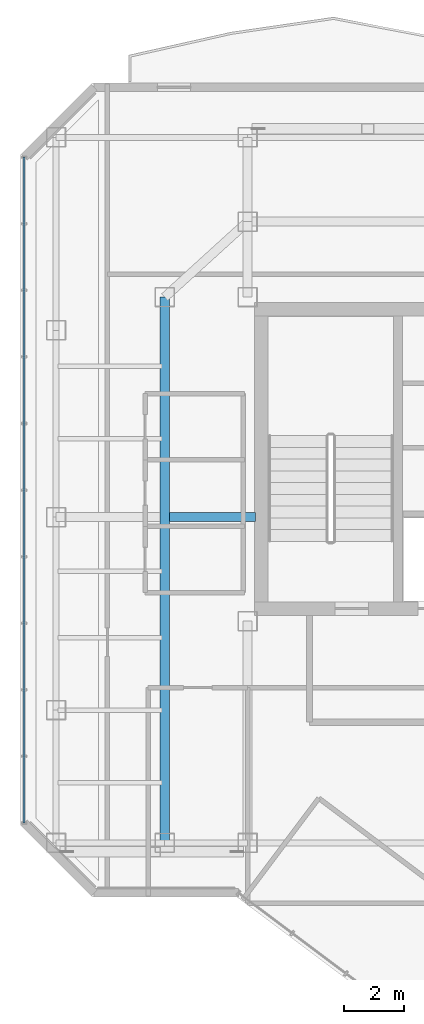
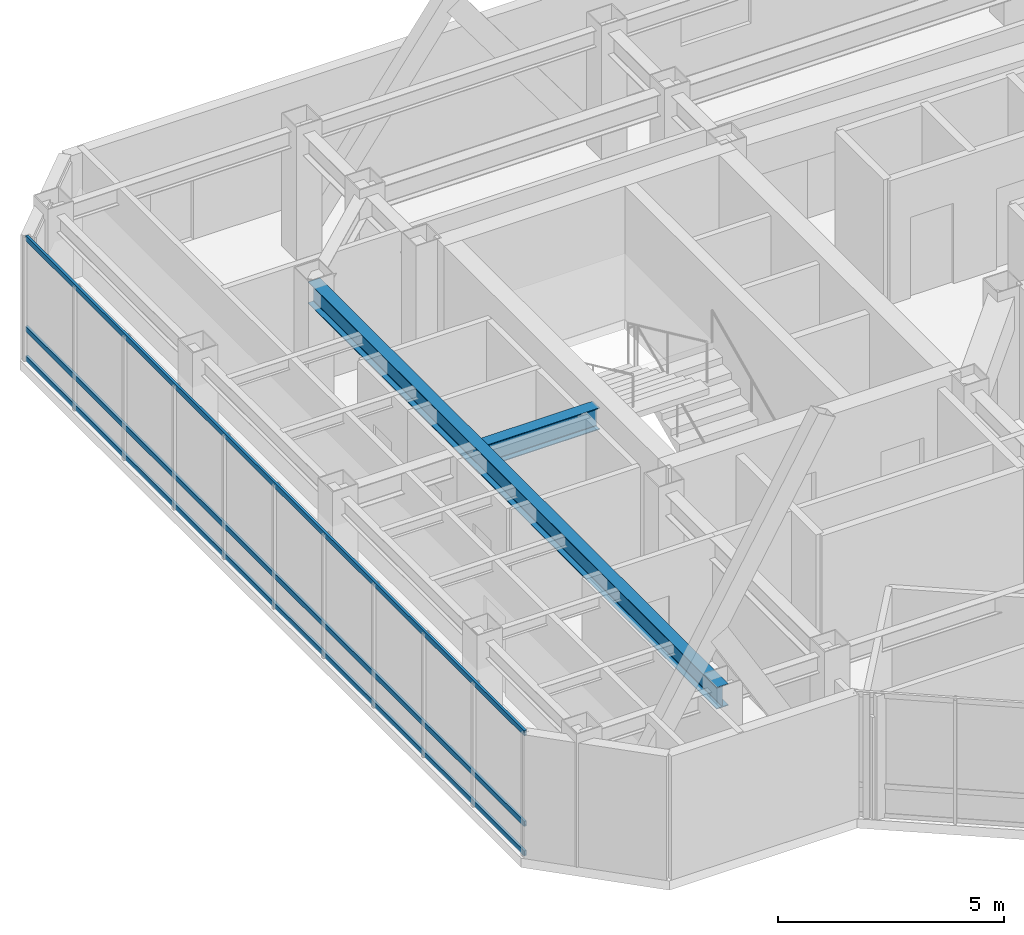
# One storey, part 9 of 22: 3 members, 2 beams, 1 element without a shape of its own.
"""IFC4 building model written with IfcOpenShell, lengths in metres."""

from ifc_helpers import new_model, si_unit, direction, frame, origin, origin_2d, place, context, subcontext, project, spatial, hollow_rectangle, i_section, extrude, material, layer, layer_set, material_profile, profile_set, type_object, element, aggregate, save


model = new_model("IFC4")

# Units and contexts
model_context = context("Model", 3, precision=1e-05, world=origin(), true_north=direction((0.0, 1.0)))
body_context = subcontext(model_context, "Body", "Model", "MODEL_VIEW")
ifc_project = project(units=[si_unit("LENGTHUNIT", "METRE"), si_unit("AREAUNIT", "SQUARE_METRE"), si_unit("VOLUMEUNIT", "CUBIC_METRE"), si_unit("PLANEANGLEUNIT", "RADIAN"), si_unit("MASSUNIT", "GRAM", prefix="KILO")], contexts=[model_context])

# Site, building, storey
site_placement = place(None, origin())
site = spatial("IfcSite", under=ifc_project, at=site_placement, CompositionType="ELEMENT")
building_placement = place(site_placement, origin())
building = spatial("IfcBuilding", under=site, at=building_placement, Name="Hatsunagi Terrace Concourse", CompositionType="ELEMENT")
storey_placement = place(building_placement, frame((0.0, 0.0, 239.550048828125)))
storey = spatial("IfcBuildingStorey", under=building, at=storey_placement, Name="L63", CompositionType="ELEMENT", Elevation=239.550048828125)

# Curtain wall, members
ifc_material_1 = material(Name="Anodised Aluminium Alloy 6063-T5", Category="aluminium")
ifc_layer = layer(ifc_material_1, 0.199951171875)
ifc_layer_set = layer_set([ifc_layer], Name="OfficeZone2_CW04")
curtain_wall_type = type_object("IfcCurtainWallType", Name="OfficeZone2_CW04", PredefinedType="NOTDEFINED", material=ifc_layer_set)
curtain_wall_placement = place(storey_placement, origin())
curtain_wall = element("IfcCurtainWall", 1, at=curtain_wall_placement, inside=storey, type_object=curtain_wall_type, Name="Unitised Curtain Wall CW-04 CW-L63-08", PredefinedType="NOTDEFINED")
ifc_material_2 = material(Name="Anodised Aluminium Alloy 6063-T5", Category="aluminium")
ifc_material_profile_1 = material_profile(ifc_material_2, hollow_rectangle(XDim=0.06494140625, YDim=0.139892578125, WallThickness=0.00390625, at=origin_2d()), Name="ALU-TRN-140x65x4")
ifc_profile_set_1 = profile_set([ifc_material_profile_1], Name="Anodised Aluminium Alloy 6063-T5")
member_type = type_object("IfcMemberType", Name="CurtainWallTransom_140x65", PredefinedType="USERDEFINED", material=ifc_profile_set_1)
member_1_placement = place(storey_placement, frame((18.139892578125, 25.85791015625, 0.050048828125), z_axis=(0.0, 1.0, 0.0), x_axis=(-1.0, 0.0, 0.0)))
member_1 = element("IfcMember", 2, at=member_1_placement, type_object=member_type, Name="Curtain Wall Transom TRN-02", ObjectType="TRANSOM", PredefinedType="USERDEFINED", context=body_context, shape_type="SweptSolid", body=[
    extrude(hollow_rectangle(XDim=0.06494140625, YDim=0.139892578125, WallThickness=0.00390625, at=origin_2d()), origin(), (0.0, 0.0, 1.0), 22.083984375),
])
member_2_placement = place(storey_placement, frame((18.139892578125, 25.85791015625, 0.849853515625), z_axis=(0.0, 1.0, 0.0), x_axis=(-1.0, 0.0, 0.0)))
member_2 = element("IfcMember", 3, at=member_2_placement, type_object=member_type, Name="Curtain Wall Transom TRN-02", ObjectType="TRANSOM", PredefinedType="USERDEFINED", context=body_context, shape_type="SweptSolid", body=[
    extrude(hollow_rectangle(XDim=0.06494140625, YDim=0.139892578125, WallThickness=0.00390625, at=origin_2d()), origin(), (0.0, 0.0, 1.0), 22.083984375),
])
member_3_placement = place(storey_placement, frame((18.139892578125, 25.85791015625, 3.300048828125), z_axis=(0.0, 1.0, 0.0), x_axis=(-1.0, 0.0, 0.0)))
member_3 = element("IfcMember", 4, at=member_3_placement, type_object=member_type, Name="Curtain Wall Transom TRN-02", ObjectType="TRANSOM", PredefinedType="USERDEFINED", context=body_context, shape_type="SweptSolid", body=[
    extrude(hollow_rectangle(XDim=0.06494140625, YDim=0.139892578125, WallThickness=0.00390625, at=origin_2d()), origin(), (0.0, 0.0, 1.0), 22.083984375),
])
aggregate(curtain_wall, [member_1, member_2, member_3])

# Beams
ifc_material_3 = material(Name="Steel SN490B", Category="steel")
ifc_material_profile_2 = material_profile(ifc_material_3, i_section(OverallWidth=0.300048828125, OverallDepth=0.587890625, WebThickness=0.011962890625, FlangeThickness=0.02001953125, FilletRadius=0.01806640625, at=origin_2d()), Name="H-588x300x12x20")
ifc_profile_set_2 = profile_set([ifc_material_profile_2], Name="Steel SN490B")
beam_type = type_object("IfcBeamType", Name="OfficeHighGirder_H_588x300", PredefinedType="BEAM", material=ifc_profile_set_2)
beam_1_placement = place(storey_placement, frame((22.800048828125, 25.199951171875, 3.055908203125), z_axis=(0.0, 1.0, 0.0), x_axis=(-1.0, 0.0, 0.0)))
element("IfcBeam", 5, at=beam_1_placement, inside=storey, type_object=beam_type, Name="Beam G-06 BM-L63-CWNS", PredefinedType="BEAM", context=body_context, shape_type="SweptSolid", body=[
    extrude(i_section(OverallWidth=0.300048828125, OverallDepth=0.587890625, WebThickness=0.011962890625, FlangeThickness=0.02001953125, FilletRadius=0.01806640625, at=origin_2d()), origin(), (0.0, 0.0, 1.0), 18.10009765625),
])
beam_2_placement = place(storey_placement, frame((22.949951171875, 36.0, 3.055908203125), z_axis=(1.0, 0.0, 0.0), x_axis=(0.0, 1.0, 0.0)))
element("IfcBeam", 6, at=beam_2_placement, inside=storey, type_object=beam_type, Name="Beam G-06 BM-L63-EW-4", PredefinedType="BEAM", context=body_context, shape_type="SweptSolid", body=[
    extrude(i_section(OverallWidth=0.300048828125, OverallDepth=0.587890625, WebThickness=0.011962890625, FlangeThickness=0.02001953125, FilletRadius=0.01806640625, at=origin_2d()), origin(), (0.0, 0.0, 1.0), 2.860107421875),
])

save(model, "model.ifc")
